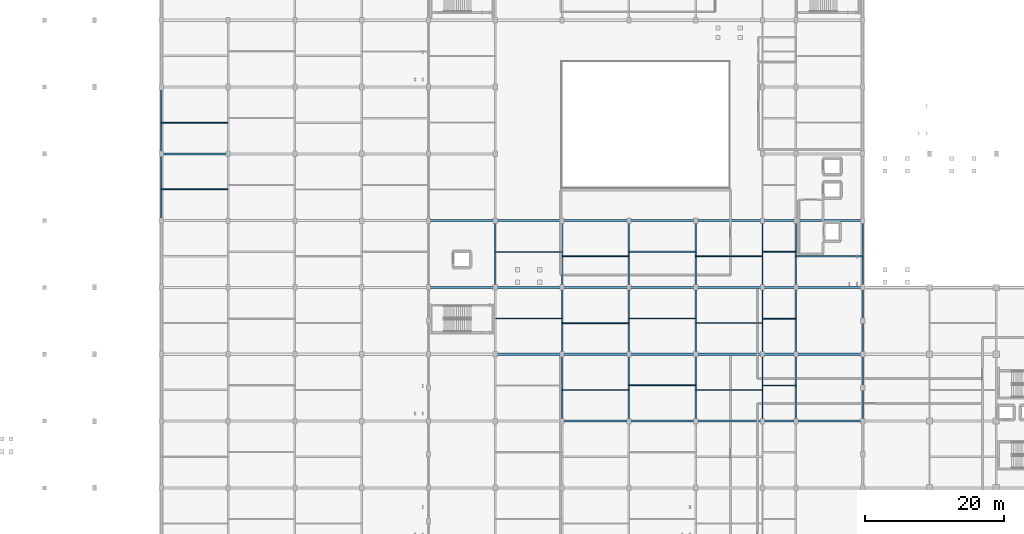
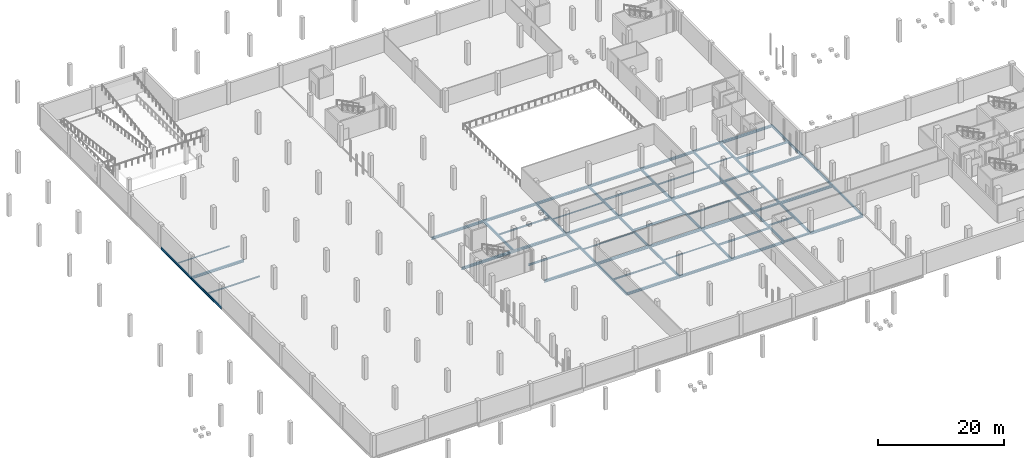
# One storey, part 27 of 47: 66 beams.
"""IFC4 building model written with IfcOpenShell, lengths in metres."""

from ifc_helpers import new_model, si_unit, direction, frame, origin, origin_2d, place, context, subcontext, project, spatial, i_section, extrude, material, material_profile, profile_set, type_object, element, save


model = new_model("IFC4")

# Units and contexts
model_context = context("Model", 3, precision=1e-05, world=origin(), true_north=direction((0.0, 1.0)))
body_context = subcontext(model_context, "Body", "Model", "MODEL_VIEW")
ifc_project = project(units=[si_unit("LENGTHUNIT", "METRE"), si_unit("AREAUNIT", "SQUARE_METRE"), si_unit("VOLUMEUNIT", "CUBIC_METRE"), si_unit("PLANEANGLEUNIT", "RADIAN"), si_unit("MASSUNIT", "GRAM", prefix="KILO")], contexts=[model_context])

# Site, building, storey
site_placement = place(None, origin())
site = spatial("IfcSite", under=ifc_project, at=site_placement, CompositionType="ELEMENT")
building_placement = place(site_placement, origin())
building = spatial("IfcBuilding", under=site, at=building_placement, Name="Zevrakil Square Congress Hotel", CompositionType="ELEMENT")
storey_placement = place(building_placement, frame((0.0, 0.0, -4.199951171875)))
storey = spatial("IfcBuildingStorey", under=building, at=storey_placement, Name="B1", CompositionType="ELEMENT", Elevation=-4.199951171875)

# Beams
ifc_material_1 = material(Name="Steel S355", Category="steel")
ifc_material_profile_1 = material_profile(ifc_material_1, i_section(OverallWidth=0.300048828125, OverallDepth=0.31005859375, WebThickness=0.009033203125, FlangeThickness=0.015380859375, FilletRadius=0.027099609375, at=origin_2d()), Name="HEA 320")
ifc_profile_set_1 = profile_set([ifc_material_profile_1], Name="Steel S355")
beam_type_1 = type_object("IfcBeamType", Name="BM-HEA320", PredefinedType="BEAM", material=ifc_profile_set_1)
for number, where, z_axis, x_axis, name in (
    (1, (103.199951171875, 26.39990234375, -0.425048828125), (1.0, 0.0, 0.0), (0.0, 1.0, 0.0), "B1 primary girder BX-0039"),
    (2, (103.199951171875, 36.0, -0.425048828125), (1.0, 0.0, 0.0), (0.0, 1.0, 0.0), "B1 primary girder BX-0052"),
    (3, (103.199951171875, 45.60009765625, -0.425048828125), (1.0, 0.0, 0.0), (0.0, 1.0, 0.0), "B1 primary girder BX-0065"),
    (4, (103.199951171875, 55.199951171875, -0.425048828125), (1.0, 0.0, 0.0), (0.0, 1.0, 0.0), "B1 primary girder BX-0080"),
):
    element("IfcBeam", number, at=place(storey_placement, frame(where, z_axis=z_axis, x_axis=x_axis)), inside=storey, type_object=beam_type_1, Name=name, PredefinedType="BEAM", context=body_context, shape_type="SweptSolid", body=[
        extrude(i_section(OverallWidth=0.300048828125, OverallDepth=0.31005859375, WebThickness=0.009033203125, FlangeThickness=0.015380859375, FilletRadius=0.027099609375, at=origin_2d()), origin(), (0.0, 0.0, 1.0), 4.800048828125),
    ])
ifc_material_2 = material(Name="Steel S355", Category="steel")
ifc_material_profile_2 = material_profile(ifc_material_2, i_section(OverallWidth=0.300048828125, OverallDepth=0.43994140625, WebThickness=0.011474609375, FlangeThickness=0.02099609375, FilletRadius=0.027099609375, at=origin_2d()), Name="HEA 450")
ifc_profile_set_2 = profile_set([ifc_material_profile_2], Name="Steel S355")
beam_type_2 = type_object("IfcBeamType", Name="BM-HEA450", PredefinedType="BEAM", material=ifc_profile_set_2)
for number, where, z_axis, x_axis, name in (
    (5, (74.39990234375, 26.39990234375, -0.489990234375), (1.0, 0.0, 0.0), (0.0, 1.0, 0.0), "B1 primary girder BX-0036"),
    (6, (84.0, 26.39990234375, -0.489990234375), (1.0, 0.0, 0.0), (0.0, 1.0, 0.0), "B1 primary girder BX-0037"),
):
    element("IfcBeam", number, at=place(storey_placement, frame(where, z_axis=z_axis, x_axis=x_axis)), inside=storey, type_object=beam_type_2, Name=name, PredefinedType="BEAM", context=body_context, shape_type="SweptSolid", body=[
        extrude(i_section(OverallWidth=0.300048828125, OverallDepth=0.43994140625, WebThickness=0.011474609375, FlangeThickness=0.02099609375, FilletRadius=0.027099609375, at=origin_2d()), origin(), (0.0, 0.0, 1.0), 9.60009765625),
    ])
beam_1_placement = place(storey_placement, frame((93.60009765625, 26.39990234375, -0.489990234375), z_axis=(1.0, 0.0, 0.0), x_axis=(0.0, 1.0, 0.0)))
element("IfcBeam", 7, at=beam_1_placement, inside=storey, type_object=beam_type_2, Name="B1 primary girder BX-0038", PredefinedType="BEAM", context=body_context, shape_type="SweptSolid", body=[
    extrude(i_section(OverallWidth=0.300048828125, OverallDepth=0.43994140625, WebThickness=0.011474609375, FlangeThickness=0.02099609375, FilletRadius=0.027099609375, at=origin_2d()), origin(), (0.0, 0.0, 1.0), 9.599853515625),
])
beam_2_placement = place(storey_placement, frame((108.0, 26.39990234375, -0.489990234375), z_axis=(1.0, 0.0, 0.0), x_axis=(0.0, 1.0, 0.0)))
element("IfcBeam", 8, at=beam_2_placement, inside=storey, type_object=beam_type_2, Name="B1 primary girder BX-0040", PredefinedType="BEAM", context=body_context, shape_type="SweptSolid", body=[
    extrude(i_section(OverallWidth=0.300048828125, OverallDepth=0.43994140625, WebThickness=0.011474609375, FlangeThickness=0.02099609375, FilletRadius=0.027099609375, at=origin_2d()), origin(), (0.0, 0.0, 1.0), 9.60009765625),
])
beam_3_placement = place(storey_placement, frame((64.800048828125, 36.0, -0.489990234375), z_axis=(1.0, 0.0, 0.0), x_axis=(0.0, 1.0, 0.0)))
element("IfcBeam", 9, at=beam_3_placement, inside=storey, type_object=beam_type_2, Name="B1 primary girder BX-0048", PredefinedType="BEAM", context=body_context, shape_type="SweptSolid", body=[
    extrude(i_section(OverallWidth=0.300048828125, OverallDepth=0.43994140625, WebThickness=0.011474609375, FlangeThickness=0.02099609375, FilletRadius=0.027099609375, at=origin_2d()), origin(), (0.0, 0.0, 1.0), 9.599853515625),
])
for number, where, z_axis, x_axis, name in (
    (10, (74.39990234375, 36.0, -0.489990234375), (1.0, 0.0, 0.0), (0.0, 1.0, 0.0), "B1 primary girder BX-0049"),
    (11, (84.0, 36.0, -0.489990234375), (1.0, 0.0, 0.0), (0.0, 1.0, 0.0), "B1 primary girder BX-0050"),
):
    element("IfcBeam", number, at=place(storey_placement, frame(where, z_axis=z_axis, x_axis=x_axis)), inside=storey, type_object=beam_type_2, Name=name, PredefinedType="BEAM", context=body_context, shape_type="SweptSolid", body=[
        extrude(i_section(OverallWidth=0.300048828125, OverallDepth=0.43994140625, WebThickness=0.011474609375, FlangeThickness=0.02099609375, FilletRadius=0.027099609375, at=origin_2d()), origin(), (0.0, 0.0, 1.0), 9.60009765625),
    ])
beam_4_placement = place(storey_placement, frame((93.60009765625, 36.0, -0.489990234375), z_axis=(1.0, 0.0, 0.0), x_axis=(0.0, 1.0, 0.0)))
element("IfcBeam", 12, at=beam_4_placement, inside=storey, type_object=beam_type_2, Name="B1 primary girder BX-0051", PredefinedType="BEAM", context=body_context, shape_type="SweptSolid", body=[
    extrude(i_section(OverallWidth=0.300048828125, OverallDepth=0.43994140625, WebThickness=0.011474609375, FlangeThickness=0.02099609375, FilletRadius=0.027099609375, at=origin_2d()), origin(), (0.0, 0.0, 1.0), 9.599853515625),
])
for number, where, z_axis, x_axis, name in (
    (13, (108.0, 36.0, -0.489990234375), (1.0, 0.0, 0.0), (0.0, 1.0, 0.0), "B1 primary girder BX-0053"),
    (14, (55.199951171875, 45.60009765625, -0.489990234375), (1.0, 0.0, 0.0), (0.0, 1.0, 0.0), "B1 primary girder BX-0060"),
):
    element("IfcBeam", number, at=place(storey_placement, frame(where, z_axis=z_axis, x_axis=x_axis)), inside=storey, type_object=beam_type_2, Name=name, PredefinedType="BEAM", context=body_context, shape_type="SweptSolid", body=[
        extrude(i_section(OverallWidth=0.300048828125, OverallDepth=0.43994140625, WebThickness=0.011474609375, FlangeThickness=0.02099609375, FilletRadius=0.027099609375, at=origin_2d()), origin(), (0.0, 0.0, 1.0), 9.60009765625),
    ])
beam_5_placement = place(storey_placement, frame((64.800048828125, 45.60009765625, -0.489990234375), z_axis=(1.0, 0.0, 0.0), x_axis=(0.0, 1.0, 0.0)))
element("IfcBeam", 15, at=beam_5_placement, inside=storey, type_object=beam_type_2, Name="B1 primary girder BX-0061", PredefinedType="BEAM", context=body_context, shape_type="SweptSolid", body=[
    extrude(i_section(OverallWidth=0.300048828125, OverallDepth=0.43994140625, WebThickness=0.011474609375, FlangeThickness=0.02099609375, FilletRadius=0.027099609375, at=origin_2d()), origin(), (0.0, 0.0, 1.0), 9.599853515625),
])
for number, where, z_axis, x_axis, name in (
    (16, (74.39990234375, 45.60009765625, -0.489990234375), (1.0, 0.0, 0.0), (0.0, 1.0, 0.0), "B1 primary girder BX-0062"),
    (17, (84.0, 45.60009765625, -0.489990234375), (1.0, 0.0, 0.0), (0.0, 1.0, 0.0), "B1 primary girder BX-0063"),
):
    element("IfcBeam", number, at=place(storey_placement, frame(where, z_axis=z_axis, x_axis=x_axis)), inside=storey, type_object=beam_type_2, Name=name, PredefinedType="BEAM", context=body_context, shape_type="SweptSolid", body=[
        extrude(i_section(OverallWidth=0.300048828125, OverallDepth=0.43994140625, WebThickness=0.011474609375, FlangeThickness=0.02099609375, FilletRadius=0.027099609375, at=origin_2d()), origin(), (0.0, 0.0, 1.0), 9.60009765625),
    ])
beam_6_placement = place(storey_placement, frame((93.60009765625, 45.60009765625, -0.489990234375), z_axis=(1.0, 0.0, 0.0), x_axis=(0.0, 1.0, 0.0)))
element("IfcBeam", 18, at=beam_6_placement, inside=storey, type_object=beam_type_2, Name="B1 primary girder BX-0064", PredefinedType="BEAM", context=body_context, shape_type="SweptSolid", body=[
    extrude(i_section(OverallWidth=0.300048828125, OverallDepth=0.43994140625, WebThickness=0.011474609375, FlangeThickness=0.02099609375, FilletRadius=0.027099609375, at=origin_2d()), origin(), (0.0, 0.0, 1.0), 9.599853515625),
])
for number, where, z_axis, x_axis, name in (
    (19, (108.0, 45.60009765625, -0.489990234375), (1.0, 0.0, 0.0), (0.0, 1.0, 0.0), "B1 primary girder BX-0066"),
    (20, (55.199951171875, 55.199951171875, -0.489990234375), (1.0, 0.0, 0.0), (0.0, 1.0, 0.0), "B1 primary girder BX-0075"),
):
    element("IfcBeam", number, at=place(storey_placement, frame(where, z_axis=z_axis, x_axis=x_axis)), inside=storey, type_object=beam_type_2, Name=name, PredefinedType="BEAM", context=body_context, shape_type="SweptSolid", body=[
        extrude(i_section(OverallWidth=0.300048828125, OverallDepth=0.43994140625, WebThickness=0.011474609375, FlangeThickness=0.02099609375, FilletRadius=0.027099609375, at=origin_2d()), origin(), (0.0, 0.0, 1.0), 9.60009765625),
    ])
beam_7_placement = place(storey_placement, frame((64.800048828125, 55.199951171875, -0.489990234375), z_axis=(1.0, 0.0, 0.0), x_axis=(0.0, 1.0, 0.0)))
element("IfcBeam", 21, at=beam_7_placement, inside=storey, type_object=beam_type_2, Name="B1 primary girder BX-0076", PredefinedType="BEAM", context=body_context, shape_type="SweptSolid", body=[
    extrude(i_section(OverallWidth=0.300048828125, OverallDepth=0.43994140625, WebThickness=0.011474609375, FlangeThickness=0.02099609375, FilletRadius=0.027099609375, at=origin_2d()), origin(), (0.0, 0.0, 1.0), 9.599853515625),
])
for number, where, z_axis, x_axis, name in (
    (22, (74.39990234375, 55.199951171875, -0.489990234375), (1.0, 0.0, 0.0), (0.0, 1.0, 0.0), "B1 primary girder BX-0077"),
    (23, (84.0, 55.199951171875, -0.489990234375), (1.0, 0.0, 0.0), (0.0, 1.0, 0.0), "B1 primary girder BX-0078"),
):
    element("IfcBeam", number, at=place(storey_placement, frame(where, z_axis=z_axis, x_axis=x_axis)), inside=storey, type_object=beam_type_2, Name=name, PredefinedType="BEAM", context=body_context, shape_type="SweptSolid", body=[
        extrude(i_section(OverallWidth=0.300048828125, OverallDepth=0.43994140625, WebThickness=0.011474609375, FlangeThickness=0.02099609375, FilletRadius=0.027099609375, at=origin_2d()), origin(), (0.0, 0.0, 1.0), 9.60009765625),
    ])
beam_8_placement = place(storey_placement, frame((93.60009765625, 55.199951171875, -0.489990234375), z_axis=(1.0, 0.0, 0.0), x_axis=(0.0, 1.0, 0.0)))
element("IfcBeam", 24, at=beam_8_placement, inside=storey, type_object=beam_type_2, Name="B1 primary girder BX-0079", PredefinedType="BEAM", context=body_context, shape_type="SweptSolid", body=[
    extrude(i_section(OverallWidth=0.300048828125, OverallDepth=0.43994140625, WebThickness=0.011474609375, FlangeThickness=0.02099609375, FilletRadius=0.027099609375, at=origin_2d()), origin(), (0.0, 0.0, 1.0), 9.599853515625),
])
beam_9_placement = place(storey_placement, frame((108.0, 55.199951171875, -0.489990234375), z_axis=(1.0, 0.0, 0.0), x_axis=(0.0, 1.0, 0.0)))
element("IfcBeam", 25, at=beam_9_placement, inside=storey, type_object=beam_type_2, Name="B1 primary girder BX-0081", PredefinedType="BEAM", context=body_context, shape_type="SweptSolid", body=[
    extrude(i_section(OverallWidth=0.300048828125, OverallDepth=0.43994140625, WebThickness=0.011474609375, FlangeThickness=0.02099609375, FilletRadius=0.027099609375, at=origin_2d()), origin(), (0.0, 0.0, 1.0), 9.60009765625),
])
beam_10_placement = place(storey_placement, frame((16.800048828125, 64.800048828125, -0.489990234375), z_axis=(1.0, 0.0, 0.0), x_axis=(0.0, 1.0, 0.0)))
element("IfcBeam", 26, at=beam_10_placement, inside=storey, type_object=beam_type_2, Name="B1 primary girder BX-0082", PredefinedType="BEAM", context=body_context, shape_type="SweptSolid", body=[
    extrude(i_section(OverallWidth=0.300048828125, OverallDepth=0.43994140625, WebThickness=0.011474609375, FlangeThickness=0.02099609375, FilletRadius=0.027099609375, at=origin_2d()), origin(), (0.0, 0.0, 1.0), 9.599853515625),
])
ifc_material_3 = material(Name="Steel S355", Category="steel")
ifc_material_profile_3 = material_profile(ifc_material_3, i_section(OverallWidth=0.18994140625, OverallDepth=0.449951171875, WebThickness=0.009521484375, FlangeThickness=0.0146484375, FilletRadius=0.02099609375, at=origin_2d()), Name="IPE 450")
ifc_profile_set_3 = profile_set([ifc_material_profile_3], Name="Steel S355")
beam_type_3 = type_object("IfcBeamType", Name="BM-IPE450", PredefinedType="BEAM", material=ifc_profile_set_3)
for number, where, z_axis, x_axis, name in (
    (27, (117.60009765625, 26.39990234375, -0.4951171875), (0.0, 1.0, 0.0), (-1.0, 0.0, 0.0), "B1 primary girder BY-0236"),
    (28, (117.60009765625, 31.199951171875, -0.4951171875), (0.0, 1.0, 0.0), (-1.0, 0.0, 0.0), "B1 primary girder BY-0237"),
    (29, (117.60009765625, 36.0, -0.4951171875), (0.0, 1.0, 0.0), (-1.0, 0.0, 0.0), "B1 primary girder BY-0238"),
    (30, (117.60009765625, 40.800048828125, -0.4951171875), (0.0, 1.0, 0.0), (-1.0, 0.0, 0.0), "B1 primary girder BY-0239"),
):
    element("IfcBeam", number, at=place(storey_placement, frame(where, z_axis=z_axis, x_axis=x_axis)), inside=storey, type_object=beam_type_3, Name=name, PredefinedType="BEAM", context=body_context, shape_type="SweptSolid", body=[
        extrude(i_section(OverallWidth=0.18994140625, OverallDepth=0.449951171875, WebThickness=0.009521484375, FlangeThickness=0.0146484375, FilletRadius=0.02099609375, at=origin_2d()), origin(), (0.0, 0.0, 1.0), 4.800048828125),
    ])
ifc_material_4 = material(Name="Steel S355", Category="steel")
ifc_material_profile_4 = material_profile(ifc_material_4, i_section(OverallWidth=0.199951171875, OverallDepth=0.5, WebThickness=0.01025390625, FlangeThickness=0.01611328125, FilletRadius=0.02099609375, at=origin_2d()), Name="IPE 500")
ifc_profile_set_4 = profile_set([ifc_material_profile_4], Name="Steel S355")
beam_type_4 = type_object("IfcBeamType", Name="BM-IPE500", PredefinedType="BEAM", material=ifc_profile_set_4)
beam_11_placement = place(storey_placement, frame((16.800048828125, 55.199951171875, -0.52001953125), z_axis=(0.0, 1.0, 0.0), x_axis=(-1.0, 0.0, 0.0)))
element("IfcBeam", 31, at=beam_11_placement, inside=storey, type_object=beam_type_4, Name="B1 primary girder BY-0132", PredefinedType="BEAM", context=body_context, shape_type="SweptSolid", body=[
    extrude(i_section(OverallWidth=0.199951171875, OverallDepth=0.5, WebThickness=0.01025390625, FlangeThickness=0.01611328125, FilletRadius=0.02099609375, at=origin_2d()), origin(), (0.0, 0.0, 1.0), 9.60009765625),
])
for number, where, z_axis, x_axis, name in (
    (32, (16.800048828125, 64.800048828125, -0.52001953125), (0.0, 1.0, 0.0), (-1.0, 0.0, 0.0), "B1 primary girder BY-0133"),
    (33, (64.800048828125, 45.60009765625, -0.52001953125), (0.0, 1.0, 0.0), (-1.0, 0.0, 0.0), "B1 primary girder BY-0185"),
):
    element("IfcBeam", number, at=place(storey_placement, frame(where, z_axis=z_axis, x_axis=x_axis)), inside=storey, type_object=beam_type_4, Name=name, PredefinedType="BEAM", context=body_context, shape_type="SweptSolid", body=[
        extrude(i_section(OverallWidth=0.199951171875, OverallDepth=0.5, WebThickness=0.01025390625, FlangeThickness=0.01611328125, FilletRadius=0.02099609375, at=origin_2d()), origin(), (0.0, 0.0, 1.0), 9.599853515625),
    ])
for number, where, z_axis, x_axis, name in (
    (34, (74.39990234375, 26.39990234375, -0.52001953125), (0.0, 1.0, 0.0), (-1.0, 0.0, 0.0), "B1 primary girder BY-0193"),
    (35, (74.39990234375, 36.0, -0.52001953125), (0.0, 1.0, 0.0), (-1.0, 0.0, 0.0), "B1 primary girder BY-0194"),
):
    element("IfcBeam", number, at=place(storey_placement, frame(where, z_axis=z_axis, x_axis=x_axis)), inside=storey, type_object=beam_type_4, Name=name, PredefinedType="BEAM", context=body_context, shape_type="SweptSolid", body=[
        extrude(i_section(OverallWidth=0.199951171875, OverallDepth=0.5, WebThickness=0.01025390625, FlangeThickness=0.01611328125, FilletRadius=0.02099609375, at=origin_2d()), origin(), (0.0, 0.0, 1.0), 9.60009765625),
    ])
beam_12_placement = place(storey_placement, frame((74.39990234375, 45.60009765625, -0.52001953125), z_axis=(0.0, 1.0, 0.0), x_axis=(-1.0, 0.0, 0.0)))
element("IfcBeam", 36, at=beam_12_placement, inside=storey, type_object=beam_type_4, Name="B1 primary girder BY-0195", PredefinedType="BEAM", context=body_context, shape_type="SweptSolid", body=[
    extrude(i_section(OverallWidth=0.199951171875, OverallDepth=0.5, WebThickness=0.01025390625, FlangeThickness=0.01611328125, FilletRadius=0.02099609375, at=origin_2d()), origin(), (0.0, 0.0, 1.0), 9.599853515625),
])
for number, where, z_axis, x_axis, name in (
    (37, (84.0, 26.39990234375, -0.52001953125), (0.0, 1.0, 0.0), (-1.0, 0.0, 0.0), "B1 primary girder BY-0200"),
    (38, (84.0, 36.0, -0.52001953125), (0.0, 1.0, 0.0), (-1.0, 0.0, 0.0), "B1 primary girder BY-0201"),
):
    element("IfcBeam", number, at=place(storey_placement, frame(where, z_axis=z_axis, x_axis=x_axis)), inside=storey, type_object=beam_type_4, Name=name, PredefinedType="BEAM", context=body_context, shape_type="SweptSolid", body=[
        extrude(i_section(OverallWidth=0.199951171875, OverallDepth=0.5, WebThickness=0.01025390625, FlangeThickness=0.01611328125, FilletRadius=0.02099609375, at=origin_2d()), origin(), (0.0, 0.0, 1.0), 9.60009765625),
    ])
beam_13_placement = place(storey_placement, frame((84.0, 45.60009765625, -0.52001953125), z_axis=(0.0, 1.0, 0.0), x_axis=(-1.0, 0.0, 0.0)))
element("IfcBeam", 39, at=beam_13_placement, inside=storey, type_object=beam_type_4, Name="B1 primary girder BY-0202", PredefinedType="BEAM", context=body_context, shape_type="SweptSolid", body=[
    extrude(i_section(OverallWidth=0.199951171875, OverallDepth=0.5, WebThickness=0.01025390625, FlangeThickness=0.01611328125, FilletRadius=0.02099609375, at=origin_2d()), origin(), (0.0, 0.0, 1.0), 9.599853515625),
])
for number, where, z_axis, x_axis, name in (
    (40, (93.60009765625, 26.39990234375, -0.52001953125), (0.0, 1.0, 0.0), (-1.0, 0.0, 0.0), "B1 primary girder BY-0207"),
    (41, (93.60009765625, 36.0, -0.52001953125), (0.0, 1.0, 0.0), (-1.0, 0.0, 0.0), "B1 primary girder BY-0208"),
):
    element("IfcBeam", number, at=place(storey_placement, frame(where, z_axis=z_axis, x_axis=x_axis)), inside=storey, type_object=beam_type_4, Name=name, PredefinedType="BEAM", context=body_context, shape_type="SweptSolid", body=[
        extrude(i_section(OverallWidth=0.199951171875, OverallDepth=0.5, WebThickness=0.01025390625, FlangeThickness=0.01611328125, FilletRadius=0.02099609375, at=origin_2d()), origin(), (0.0, 0.0, 1.0), 9.60009765625),
    ])
beam_14_placement = place(storey_placement, frame((93.60009765625, 45.60009765625, -0.52001953125), z_axis=(0.0, 1.0, 0.0), x_axis=(-1.0, 0.0, 0.0)))
element("IfcBeam", 42, at=beam_14_placement, inside=storey, type_object=beam_type_4, Name="B1 primary girder BY-0209", PredefinedType="BEAM", context=body_context, shape_type="SweptSolid", body=[
    extrude(i_section(OverallWidth=0.199951171875, OverallDepth=0.5, WebThickness=0.01025390625, FlangeThickness=0.01611328125, FilletRadius=0.02099609375, at=origin_2d()), origin(), (0.0, 0.0, 1.0), 9.599853515625),
])
for number, where, z_axis, x_axis, name in (
    (43, (103.199951171875, 26.39990234375, -0.52001953125), (0.0, 1.0, 0.0), (-1.0, 0.0, 0.0), "B1 primary girder BY-0214"),
    (44, (103.199951171875, 36.0, -0.52001953125), (0.0, 1.0, 0.0), (-1.0, 0.0, 0.0), "B1 primary girder BY-0215"),
):
    element("IfcBeam", number, at=place(storey_placement, frame(where, z_axis=z_axis, x_axis=x_axis)), inside=storey, type_object=beam_type_4, Name=name, PredefinedType="BEAM", context=body_context, shape_type="SweptSolid", body=[
        extrude(i_section(OverallWidth=0.199951171875, OverallDepth=0.5, WebThickness=0.01025390625, FlangeThickness=0.01611328125, FilletRadius=0.02099609375, at=origin_2d()), origin(), (0.0, 0.0, 1.0), 9.60009765625),
    ])
beam_15_placement = place(storey_placement, frame((103.199951171875, 45.60009765625, -0.52001953125), z_axis=(0.0, 1.0, 0.0), x_axis=(-1.0, 0.0, 0.0)))
element("IfcBeam", 45, at=beam_15_placement, inside=storey, type_object=beam_type_4, Name="B1 primary girder BY-0216", PredefinedType="BEAM", context=body_context, shape_type="SweptSolid", body=[
    extrude(i_section(OverallWidth=0.199951171875, OverallDepth=0.5, WebThickness=0.01025390625, FlangeThickness=0.01611328125, FilletRadius=0.02099609375, at=origin_2d()), origin(), (0.0, 0.0, 1.0), 9.599853515625),
])
for number, where, z_axis, x_axis, name in (
    (46, (108.0, 26.39990234375, -0.52001953125), (0.0, 1.0, 0.0), (-1.0, 0.0, 0.0), "B1 primary girder BY-0224"),
    (47, (108.0, 36.0, -0.52001953125), (0.0, 1.0, 0.0), (-1.0, 0.0, 0.0), "B1 primary girder BY-0225"),
):
    element("IfcBeam", number, at=place(storey_placement, frame(where, z_axis=z_axis, x_axis=x_axis)), inside=storey, type_object=beam_type_4, Name=name, PredefinedType="BEAM", context=body_context, shape_type="SweptSolid", body=[
        extrude(i_section(OverallWidth=0.199951171875, OverallDepth=0.5, WebThickness=0.01025390625, FlangeThickness=0.01611328125, FilletRadius=0.02099609375, at=origin_2d()), origin(), (0.0, 0.0, 1.0), 9.60009765625),
    ])
for number, where, z_axis, x_axis, name in (
    (48, (108.0, 45.60009765625, -0.52001953125), (0.0, 1.0, 0.0), (-1.0, 0.0, 0.0), "B1 primary girder BY-0226"),
    (49, (117.60009765625, 45.60009765625, -0.52001953125), (0.0, 1.0, 0.0), (-1.0, 0.0, 0.0), "B1 primary girder BY-0240"),
):
    element("IfcBeam", number, at=place(storey_placement, frame(where, z_axis=z_axis, x_axis=x_axis)), inside=storey, type_object=beam_type_4, Name=name, PredefinedType="BEAM", context=body_context, shape_type="SweptSolid", body=[
        extrude(i_section(OverallWidth=0.199951171875, OverallDepth=0.5, WebThickness=0.01025390625, FlangeThickness=0.01611328125, FilletRadius=0.02099609375, at=origin_2d()), origin(), (0.0, 0.0, 1.0), 9.599853515625),
    ])
ifc_material_5 = material(Name="Steel S355", Category="steel")
ifc_material_profile_5 = material_profile(ifc_material_5, i_section(OverallWidth=0.1201171875, OverallDepth=0.239990234375, WebThickness=0.006103515625, FlangeThickness=0.009765625, FilletRadius=0.014892578125, at=origin_2d()), Name="IPE 240")
ifc_profile_set_5 = profile_set([ifc_material_profile_5], Name="Steel S355")
beam_type_5 = type_object("IfcBeamType", Name="JST-IPE240", PredefinedType="JOIST", material=ifc_profile_set_5)
beam_16_placement = place(storey_placement, frame((16.820068359375, 69.280029296875, -0.39013671875), z_axis=(1.0, 0.0, 0.0), x_axis=(0.0, 1.0, 0.0)))
element("IfcBeam", 50, at=beam_16_placement, inside=storey, type_object=beam_type_5, Name="B1 composite floor joist J-0007", PredefinedType="JOIST", context=body_context, shape_type="SweptSolid", body=[
    extrude(i_section(OverallWidth=0.1201171875, OverallDepth=0.239990234375, WebThickness=0.006103515625, FlangeThickness=0.009765625, FilletRadius=0.014892578125, at=origin_2d()), origin(), (0.0, 0.0, 1.0), 9.559814453125),
])
for number, where, z_axis, x_axis, name in (
    (51, (74.419921875, 50.080078125, -0.39013671875), (1.0, 0.0, 0.0), (0.0, 1.0, 0.0), "B1 composite floor joist J-0047"),
    (52, (84.02001953125, 31.52001953125, -0.39013671875), (1.0, 0.0, 0.0), (0.0, 1.0, 0.0), "B1 composite floor joist J-0052"),
):
    element("IfcBeam", number, at=place(storey_placement, frame(where, z_axis=z_axis, x_axis=x_axis)), inside=storey, type_object=beam_type_5, Name=name, PredefinedType="JOIST", context=body_context, shape_type="SweptSolid", body=[
        extrude(i_section(OverallWidth=0.1201171875, OverallDepth=0.239990234375, WebThickness=0.006103515625, FlangeThickness=0.009765625, FilletRadius=0.014892578125, at=origin_2d()), origin(), (0.0, 0.0, 1.0), 9.56005859375),
    ])
beam_17_placement = place(storey_placement, frame((103.219970703125, 50.719970703125, -0.39013671875), z_axis=(1.0, 0.0, 0.0), x_axis=(0.0, 1.0, 0.0)))
element("IfcBeam", 53, at=beam_17_placement, inside=storey, type_object=beam_type_5, Name="B1 composite floor joist J-0067", PredefinedType="JOIST", context=body_context, shape_type="SweptSolid", body=[
    extrude(i_section(OverallWidth=0.1201171875, OverallDepth=0.239990234375, WebThickness=0.006103515625, FlangeThickness=0.009765625, FilletRadius=0.014892578125, at=origin_2d()), origin(), (0.0, 0.0, 1.0), 4.760009765625),
])
ifc_material_6 = material(Name="Steel S355", Category="steel")
ifc_material_profile_6 = material_profile(ifc_material_6, i_section(OverallWidth=0.135009765625, OverallDepth=0.27001953125, WebThickness=0.006591796875, FlangeThickness=0.01025390625, FilletRadius=0.014892578125, at=origin_2d()), Name="IPE 270")
ifc_profile_set_6 = profile_set([ifc_material_profile_6], Name="Steel S355")
beam_type_6 = type_object("IfcBeamType", Name="JST-IPE270", PredefinedType="JOIST", material=ifc_profile_set_6)
beam_18_placement = place(storey_placement, frame((16.820068359375, 59.679931640625, -0.405029296875), z_axis=(1.0, 0.0, 0.0), x_axis=(0.0, 1.0, 0.0)))
element("IfcBeam", 54, at=beam_18_placement, inside=storey, type_object=beam_type_6, Name="B1 composite floor joist J-0006", PredefinedType="JOIST", context=body_context, shape_type="SweptSolid", body=[
    extrude(i_section(OverallWidth=0.135009765625, OverallDepth=0.27001953125, WebThickness=0.006591796875, FlangeThickness=0.01025390625, FilletRadius=0.014892578125, at=origin_2d()), origin(), (0.0, 0.0, 1.0), 9.559814453125),
])
beam_19_placement = place(storey_placement, frame((74.419921875, 40.47998046875, -0.405029296875), z_axis=(1.0, 0.0, 0.0), x_axis=(0.0, 1.0, 0.0)))
element("IfcBeam", 55, at=beam_19_placement, inside=storey, type_object=beam_type_6, Name="B1 composite floor joist J-0046", PredefinedType="JOIST", context=body_context, shape_type="SweptSolid", body=[
    extrude(i_section(OverallWidth=0.135009765625, OverallDepth=0.27001953125, WebThickness=0.006591796875, FlangeThickness=0.01025390625, FilletRadius=0.014892578125, at=origin_2d()), origin(), (0.0, 0.0, 1.0), 9.56005859375),
])
beam_20_placement = place(storey_placement, frame((93.6201171875, 50.080078125, -0.405029296875), z_axis=(1.0, 0.0, 0.0), x_axis=(0.0, 1.0, 0.0)))
element("IfcBeam", 56, at=beam_20_placement, inside=storey, type_object=beam_type_6, Name="B1 composite floor joist J-0061", PredefinedType="JOIST", context=body_context, shape_type="SweptSolid", body=[
    extrude(i_section(OverallWidth=0.135009765625, OverallDepth=0.27001953125, WebThickness=0.006591796875, FlangeThickness=0.01025390625, FilletRadius=0.014892578125, at=origin_2d()), origin(), (0.0, 0.0, 1.0), 9.559814453125),
])
beam_21_placement = place(storey_placement, frame((103.219970703125, 41.1201171875, -0.405029296875), z_axis=(1.0, 0.0, 0.0), x_axis=(0.0, 1.0, 0.0)))
element("IfcBeam", 57, at=beam_21_placement, inside=storey, type_object=beam_type_6, Name="B1 composite floor joist J-0066", PredefinedType="JOIST", context=body_context, shape_type="SweptSolid", body=[
    extrude(i_section(OverallWidth=0.135009765625, OverallDepth=0.27001953125, WebThickness=0.006591796875, FlangeThickness=0.01025390625, FilletRadius=0.014892578125, at=origin_2d()), origin(), (0.0, 0.0, 1.0), 4.760009765625),
])
ifc_material_7 = material(Name="Steel S355", Category="steel")
ifc_material_profile_7 = material_profile(ifc_material_7, i_section(OverallWidth=0.14990234375, OverallDepth=0.300048828125, WebThickness=0.007080078125, FlangeThickness=0.0107421875, FilletRadius=0.014892578125, at=origin_2d()), Name="IPE 300")
ifc_profile_set_7 = profile_set([ifc_material_profile_7], Name="Steel S355")
beam_type_7 = type_object("IfcBeamType", Name="JST-IPE300", PredefinedType="JOIST", material=ifc_profile_set_7)
beam_22_placement = place(storey_placement, frame((64.820068359375, 50.719970703125, -0.420166015625), z_axis=(1.0, 0.0, 0.0), x_axis=(0.0, 1.0, 0.0)))
element("IfcBeam", 58, at=beam_22_placement, inside=storey, type_object=beam_type_7, Name="B1 composite floor joist J-0040", PredefinedType="JOIST", context=body_context, shape_type="SweptSolid", body=[
    extrude(i_section(OverallWidth=0.14990234375, OverallDepth=0.300048828125, WebThickness=0.007080078125, FlangeThickness=0.0107421875, FilletRadius=0.014892578125, at=origin_2d()), origin(), (0.0, 0.0, 1.0), 9.559814453125),
])
beam_23_placement = place(storey_placement, frame((74.419921875, 30.8798828125, -0.420166015625), z_axis=(1.0, 0.0, 0.0), x_axis=(0.0, 1.0, 0.0)))
element("IfcBeam", 59, at=beam_23_placement, inside=storey, type_object=beam_type_7, Name="B1 composite floor joist J-0045", PredefinedType="JOIST", context=body_context, shape_type="SweptSolid", body=[
    extrude(i_section(OverallWidth=0.14990234375, OverallDepth=0.300048828125, WebThickness=0.007080078125, FlangeThickness=0.0107421875, FilletRadius=0.014892578125, at=origin_2d()), origin(), (0.0, 0.0, 1.0), 9.56005859375),
])
beam_24_placement = place(storey_placement, frame((93.6201171875, 40.47998046875, -0.420166015625), z_axis=(1.0, 0.0, 0.0), x_axis=(0.0, 1.0, 0.0)))
element("IfcBeam", 60, at=beam_24_placement, inside=storey, type_object=beam_type_7, Name="B1 composite floor joist J-0060", PredefinedType="JOIST", context=body_context, shape_type="SweptSolid", body=[
    extrude(i_section(OverallWidth=0.14990234375, OverallDepth=0.300048828125, WebThickness=0.007080078125, FlangeThickness=0.0107421875, FilletRadius=0.014892578125, at=origin_2d()), origin(), (0.0, 0.0, 1.0), 9.559814453125),
])
beam_25_placement = place(storey_placement, frame((103.219970703125, 31.52001953125, -0.420166015625), z_axis=(1.0, 0.0, 0.0), x_axis=(0.0, 1.0, 0.0)))
element("IfcBeam", 61, at=beam_25_placement, inside=storey, type_object=beam_type_7, Name="B1 composite floor joist J-0065", PredefinedType="JOIST", context=body_context, shape_type="SweptSolid", body=[
    extrude(i_section(OverallWidth=0.14990234375, OverallDepth=0.300048828125, WebThickness=0.007080078125, FlangeThickness=0.0107421875, FilletRadius=0.014892578125, at=origin_2d()), origin(), (0.0, 0.0, 1.0), 4.760009765625),
])
ifc_material_8 = material(Name="Steel S355", Category="steel")
ifc_material_profile_8 = material_profile(ifc_material_8, i_section(OverallWidth=0.169921875, OverallDepth=0.360107421875, WebThickness=0.008056640625, FlangeThickness=0.0126953125, FilletRadius=0.01806640625, at=origin_2d()), Name="IPE 360")
ifc_profile_set_8 = profile_set([ifc_material_profile_8], Name="Steel S355")
beam_type_8 = type_object("IfcBeamType", Name="JST-IPE360", PredefinedType="JOIST", material=ifc_profile_set_8)
beam_26_placement = place(storey_placement, frame((64.820068359375, 41.1201171875, -0.449951171875), z_axis=(1.0, 0.0, 0.0), x_axis=(0.0, 1.0, 0.0)))
element("IfcBeam", 62, at=beam_26_placement, inside=storey, type_object=beam_type_8, Name="B1 composite floor joist J-0039", PredefinedType="JOIST", context=body_context, shape_type="SweptSolid", body=[
    extrude(i_section(OverallWidth=0.169921875, OverallDepth=0.360107421875, WebThickness=0.008056640625, FlangeThickness=0.0126953125, FilletRadius=0.01806640625, at=origin_2d()), origin(), (0.0, 0.0, 1.0), 9.559814453125),
])
beam_27_placement = place(storey_placement, frame((84.02001953125, 50.719970703125, -0.449951171875), z_axis=(1.0, 0.0, 0.0), x_axis=(0.0, 1.0, 0.0)))
element("IfcBeam", 63, at=beam_27_placement, inside=storey, type_object=beam_type_8, Name="B1 composite floor joist J-0054", PredefinedType="JOIST", context=body_context, shape_type="SweptSolid", body=[
    extrude(i_section(OverallWidth=0.169921875, OverallDepth=0.360107421875, WebThickness=0.008056640625, FlangeThickness=0.0126953125, FilletRadius=0.01806640625, at=origin_2d()), origin(), (0.0, 0.0, 1.0), 9.56005859375),
])
beam_28_placement = place(storey_placement, frame((93.6201171875, 30.8798828125, -0.449951171875), z_axis=(1.0, 0.0, 0.0), x_axis=(0.0, 1.0, 0.0)))
element("IfcBeam", 64, at=beam_28_placement, inside=storey, type_object=beam_type_8, Name="B1 composite floor joist J-0059", PredefinedType="JOIST", context=body_context, shape_type="SweptSolid", body=[
    extrude(i_section(OverallWidth=0.169921875, OverallDepth=0.360107421875, WebThickness=0.008056640625, FlangeThickness=0.0126953125, FilletRadius=0.01806640625, at=origin_2d()), origin(), (0.0, 0.0, 1.0), 9.559814453125),
])
ifc_material_9 = material(Name="Steel S355", Category="steel")
ifc_material_profile_9 = material_profile(ifc_material_9, i_section(OverallWidth=0.179931640625, OverallDepth=0.39990234375, WebThickness=0.008544921875, FlangeThickness=0.013427734375, FilletRadius=0.02099609375, at=origin_2d()), Name="IPE 400")
ifc_profile_set_9 = profile_set([ifc_material_profile_9], Name="Steel S355")
beam_type_9 = type_object("IfcBeamType", Name="JST-IPE400", PredefinedType="JOIST", material=ifc_profile_set_9)
for number, where, z_axis, x_axis, name in (
    (65, (84.02001953125, 41.1201171875, -0.469970703125), (1.0, 0.0, 0.0), (0.0, 1.0, 0.0), "B1 composite floor joist J-0053"),
    (66, (108.02001953125, 50.080078125, -0.469970703125), (1.0, 0.0, 0.0), (0.0, 1.0, 0.0), "B1 composite floor joist J-0073"),
):
    element("IfcBeam", number, at=place(storey_placement, frame(where, z_axis=z_axis, x_axis=x_axis)), inside=storey, type_object=beam_type_9, Name=name, PredefinedType="JOIST", context=body_context, shape_type="SweptSolid", body=[
        extrude(i_section(OverallWidth=0.179931640625, OverallDepth=0.39990234375, WebThickness=0.008544921875, FlangeThickness=0.013427734375, FilletRadius=0.02099609375, at=origin_2d()), origin(), (0.0, 0.0, 1.0), 9.56005859375),
    ])

save(model, "model.ifc")
